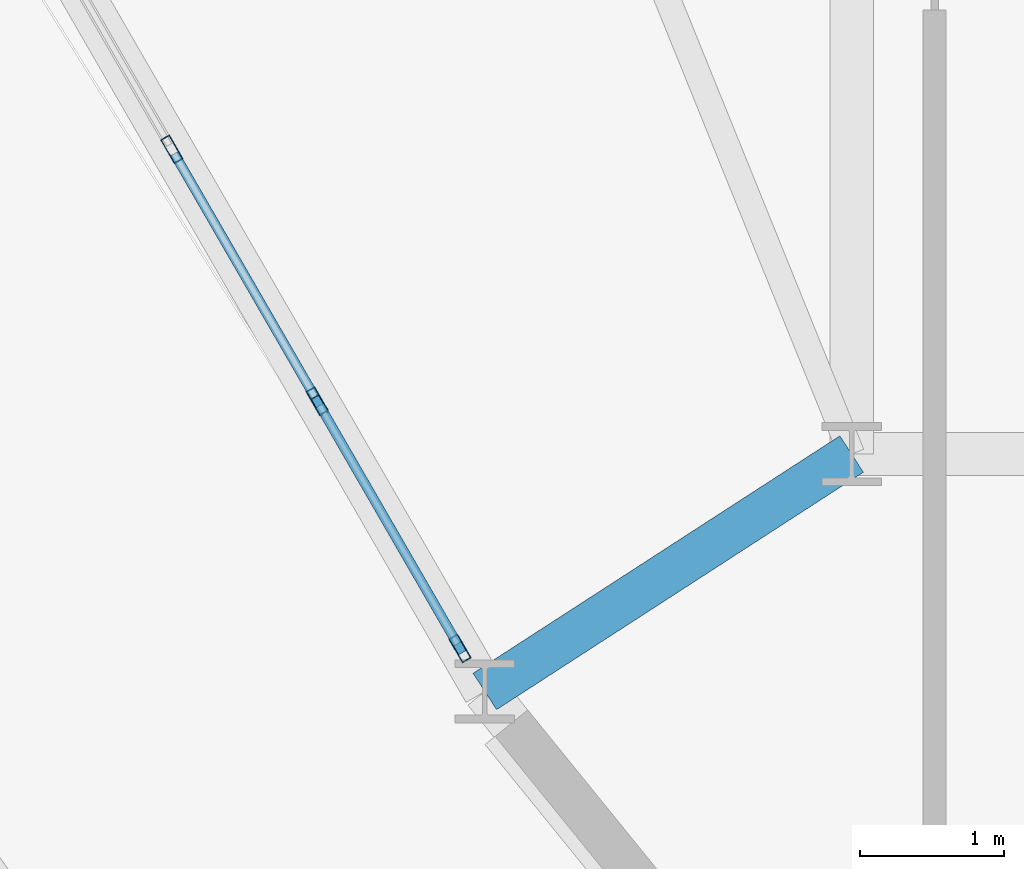
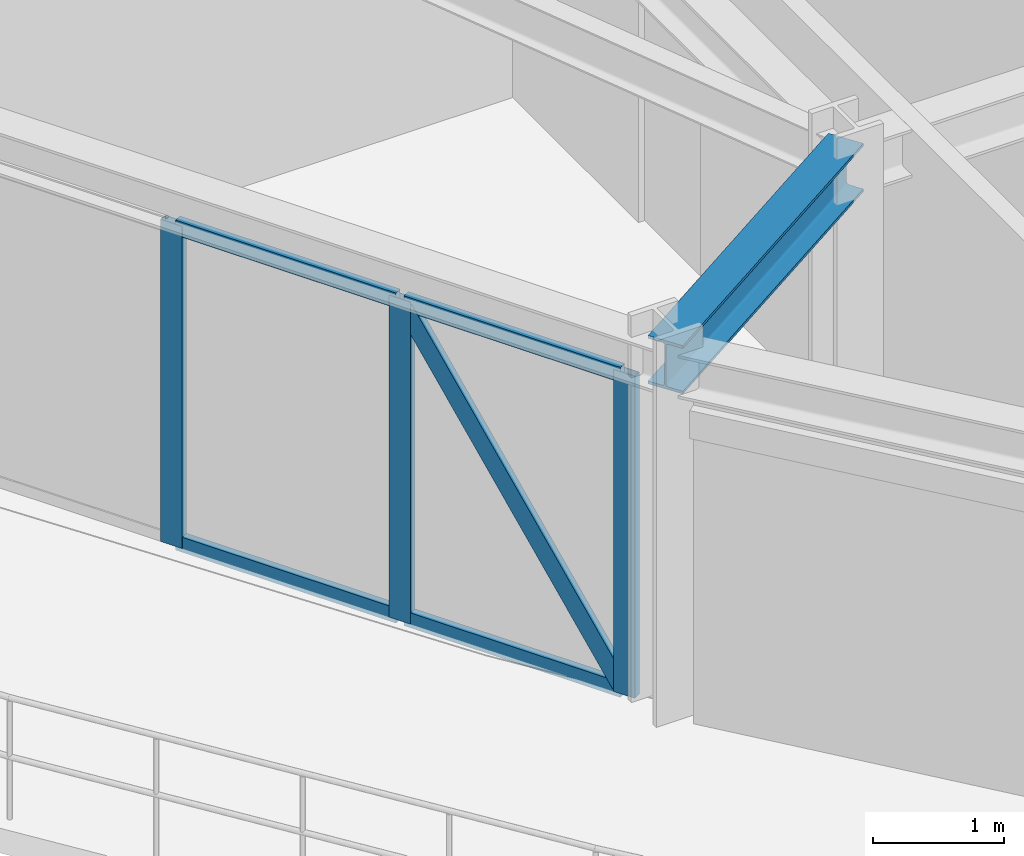
# One storey, part 2 of 18: 8 members, 1 beam, 1 element without a shape of its own.
"""IFC4 building model written with IfcOpenShell, lengths in metres."""

from ifc_helpers import new_model, si_unit, derived_unit, direction, frame, origin, origin_2d, place, context, subcontext, project, spatial, hollow_rectangle, i_section, extrude, source, transform, mapped, material, layer, layer_set, material_profile, profile_set, type_object, element, aggregate, save


model = new_model("IFC4")

# Units and contexts
model_context = context("Model", 3, precision=1e-05, world=origin(), true_north=direction((0.0, 1.0)))
body_context = subcontext(model_context, "Body", "Model", "MODEL_VIEW")
ifc_project = project(units=[si_unit("LENGTHUNIT", "METRE"), si_unit("AREAUNIT", "SQUARE_METRE"), si_unit("VOLUMEUNIT", "CUBIC_METRE"), si_unit("PLANEANGLEUNIT", "RADIAN"), si_unit("MASSUNIT", "GRAM", prefix="KILO"), derived_unit("THERMALTRANSMITTANCEUNIT", [(si_unit("POWERUNIT", "WATT"), 1), (si_unit("LENGTHUNIT", "METRE"), -2), (si_unit("THERMODYNAMICTEMPERATUREUNIT", "KELVIN"), -1)])], contexts=[model_context])

# Site, building, storey
site_placement = place(None, origin())
site = spatial("IfcSite", under=ifc_project, at=site_placement, CompositionType="ELEMENT")
building_placement = place(site_placement, origin())
building = spatial("IfcBuilding", under=site, at=building_placement, Name="Korsvarv Bourse and Concert Hall", CompositionType="ELEMENT")
storey_placement = place(building_placement, frame((0.0, 0.0, 168.60009765625)))
storey = spatial("IfcBuildingStorey", under=building, at=storey_placement, Name="L43", CompositionType="ELEMENT", Elevation=168.60009765625)

# Beam
ifc_material_1 = material(Name="Steel S355", Category="steel")
ifc_material_profile_1 = material_profile(ifc_material_1, i_section(OverallWidth=0.300048828125, OverallDepth=0.449951171875, WebThickness=0.013916015625, FlangeThickness=0.02587890625, FilletRadius=0.02099609375, at=origin_2d()), Name="HEB 450")
ifc_profile_set_1 = profile_set([ifc_material_profile_1], Name="Steel S355")
beam_type = type_object("IfcBeamType", Name="BM-HEB450", PredefinedType="SPANDREL", material=ifc_profile_set_1)
shared_shape_1 = source(origin(), body_context, "Body", "SweptSolid", [
    extrude(i_section(OverallWidth=0.300048828125, OverallDepth=0.449951171875, WebThickness=0.013916015625, FlangeThickness=0.02587890625, FilletRadius=0.02099609375, at=origin_2d()), origin(), (0.0, 0.0, 1.0), 3.025390625),
])
beam_placement = place(storey_placement, frame((25.060302734375, 22.356201171875, 3.1748046875), z_axis=(0.839509529418, 0.543344964104, 0.0), x_axis=(-0.543344964104, 0.839509529418, 0.0)))
element("IfcBeam", 1, at=beam_placement, inside=storey, type_object=beam_type, Name="L43 beam B-08", PredefinedType="SPANDREL", context=body_context, shape_type="MappedRepresentation", body=[
    mapped(shared_shape_1, transform((0.0, 0.0, 0.0), scale=1.0)),
])

# Curtain wall, members
ifc_material_2 = material(Name="Anodised aluminium and triple low-E glazing", Category="glass")
ifc_layer = layer(ifc_material_2, 0.2099609375)
ifc_layer_set = layer_set([ifc_layer], Name="Anodised aluminium and triple low-E glazing")
curtain_wall_type = type_object("IfcCurtainWallType", Name="CW-SYS-2", PredefinedType="NOTDEFINED", material=ifc_layer_set)
curtain_wall_placement = place(storey_placement, origin())
curtain_wall = element("IfcCurtainWall", 2, at=curtain_wall_placement, inside=storey, type_object=curtain_wall_type, Name="L43 CW2 curtain wall CW-L43-F07", PredefinedType="NOTDEFINED")
ifc_material_3 = material(Name="Extruded aluminium EN AW-6063 T66", Category="aluminium")
ifc_material_profile_2 = material_profile(ifc_material_3, hollow_rectangle(XDim=0.070068359375, YDim=0.18994140625, WallThickness=0.0048828125, at=origin_2d()), Name="ALU-M 70x190")
ifc_profile_set_2 = profile_set([ifc_material_profile_2], Name="Extruded aluminium EN AW-6063 T66")
member_type_1 = type_object("IfcMemberType", Name="CWM-190", PredefinedType="MULLION", material=ifc_profile_set_2)
shared_shape_2 = source(origin(), body_context, "Body", "SweptSolid", [
    extrude(hollow_rectangle(XDim=0.070068359375, YDim=0.18994140625, WallThickness=0.0048828125, at=origin_2d()), origin(), (0.0, 0.0, 1.0), 3.0),
])
member_1_placement = place(storey_placement, frame((22.8935546875, 26.109375, 0.0), z_axis=(0.0, 0.0, 1.0), x_axis=(0.866022564355, 0.500004918003, 0.0)))
member_1 = element("IfcMember", 3, at=member_1_placement, type_object=member_type_1, Name="CW2 mullion 5", PredefinedType="MULLION", context=body_context, shape_type="MappedRepresentation", body=[
    mapped(shared_shape_2, transform((0.0, 0.0, 0.0), scale=1.0)),
])
member_2_placement = place(storey_placement, frame((23.89990234375, 24.366455078125, 0.0), z_axis=(0.0, 0.0, 1.0), x_axis=(0.866022564355, 0.500004918003, 0.0)))
member_2 = element("IfcMember", 4, at=member_2_placement, type_object=member_type_1, Name="CW2 mullion 6", PredefinedType="MULLION", context=body_context, shape_type="MappedRepresentation", body=[
    mapped(shared_shape_2, transform((0.0, 0.0, 0.0), scale=1.0)),
])
member_3_placement = place(storey_placement, frame((24.888427734375, 22.654052734375, 0.0), z_axis=(0.0, 0.0, 1.0), x_axis=(0.866022564355, 0.500004918003, 0.0)))
member_3 = element("IfcMember", 5, at=member_3_placement, type_object=member_type_1, Name="CW2 mullion 7", PredefinedType="MULLION", context=body_context, shape_type="MappedRepresentation", body=[
    mapped(shared_shape_2, transform((0.0, 0.0, 0.0), scale=1.0)),
])
ifc_material_profile_3 = material_profile(ifc_material_3, hollow_rectangle(XDim=0.06494140625, YDim=0.139892578125, WallThickness=0.00390625, at=origin_2d()), Name="ALU-T 65x140")
ifc_profile_set_3 = profile_set([ifc_material_profile_3], Name="Extruded aluminium EN AW-6063 T66")
member_type_2 = type_object("IfcMemberType", Name="CWT-140", PredefinedType="USERDEFINED", material=ifc_profile_set_3)
shared_shape_3 = source(origin(), body_context, "Body", "SweptSolid", [
    extrude(hollow_rectangle(XDim=0.06494140625, YDim=0.139892578125, WallThickness=0.00390625, at=origin_2d()), origin(), (0.0, 0.0, 1.0), 1.907470703125),
])
member_4_placement = place(storey_placement, frame((23.917236328125, 24.336181640625, 0.032470703125), z_axis=(0.500062210058, -0.865989483811, 0.0), x_axis=(0.865989483811, 0.500062210058, 0.0)))
member_4 = element("IfcMember", 6, at=member_4_placement, type_object=member_type_2, Name="CW2 transom 6.1", ObjectType="TRANSOM", PredefinedType="USERDEFINED", context=body_context, shape_type="MappedRepresentation", body=[
    mapped(shared_shape_3, transform((0.0, 0.0, 0.0), scale=1.0)),
])
member_5_placement = place(storey_placement, frame((23.917236328125, 24.336181640625, 2.96728515625), z_axis=(0.500062210058, -0.865989483811, 0.0), x_axis=(0.865989483811, 0.500062210058, 0.0)))
member_5 = element("IfcMember", 7, at=member_5_placement, type_object=member_type_2, Name="CW2 transom 6.2", ObjectType="TRANSOM", PredefinedType="USERDEFINED", context=body_context, shape_type="MappedRepresentation", body=[
    mapped(shared_shape_3, transform((0.0, 0.0, 0.0), scale=1.0)),
])
shared_shape_4 = source(origin(), body_context, "Body", "SweptSolid", [
    extrude(hollow_rectangle(XDim=0.06494140625, YDim=0.139892578125, WallThickness=0.00390625, at=origin_2d()), origin(), (0.0, 0.0, 1.0), 1.9423828125),
])
member_6_placement = place(storey_placement, frame((22.9111328125, 26.0791015625, 0.032470703125), z_axis=(0.500005339912, -0.866022320763, 0.0), x_axis=(0.866022320763, 0.500005339912, 0.0)))
member_6 = element("IfcMember", 8, at=member_6_placement, type_object=member_type_2, Name="CW2 transom 5.1", ObjectType="TRANSOM", PredefinedType="USERDEFINED", context=body_context, shape_type="MappedRepresentation", body=[
    mapped(shared_shape_4, transform((0.0, 0.0, 0.0), scale=1.0)),
])
member_7_placement = place(storey_placement, frame((22.9111328125, 26.0791015625, 2.96728515625), z_axis=(0.500005339912, -0.866022320763, 0.0), x_axis=(0.866022320763, 0.500005339912, 0.0)))
member_7 = element("IfcMember", 9, at=member_7_placement, type_object=member_type_2, Name="CW2 transom 5.2", ObjectType="TRANSOM", PredefinedType="USERDEFINED", context=body_context, shape_type="MappedRepresentation", body=[
    mapped(shared_shape_4, transform((0.0, 0.0, 0.0), scale=1.0)),
])
ifc_material_profile_4 = material_profile(ifc_material_3, hollow_rectangle(XDim=0.06494140625, YDim=0.1650390625, WallThickness=0.0048828125, at=origin_2d()), Name="ALU-M 65x165")
ifc_profile_set_4 = profile_set([ifc_material_profile_4], Name="Extruded aluminium EN AW-6063 T66")
member_type_3 = type_object("IfcMemberType", Name="CWM-165", PredefinedType="MULLION", material=ifc_profile_set_4)
shared_shape_5 = source(origin(), body_context, "Body", "SweptSolid", [
    extrude(hollow_rectangle(XDim=0.06494140625, YDim=0.1650390625, WallThickness=0.0048828125, at=origin_2d()), origin(), (0.0, 0.0, 1.0), 3.446044921875),
])
member_8_placement = place(storey_placement, frame((24.87109375, 22.684326171875, 0.06494140625), z_axis=(-0.27680453733, 0.479359994772, 0.832822456185), x_axis=(-0.865989483811, -0.500062210058, 0.0)))
member_8 = element("IfcMember", 10, at=member_8_placement, type_object=member_type_3, Name="CW2 diagonal mullion 6", PredefinedType="MULLION", context=body_context, shape_type="MappedRepresentation", body=[
    mapped(shared_shape_5, transform((0.0, 0.0, 0.0), scale=1.0)),
])
aggregate(curtain_wall, [member_1, member_2, member_3, member_6, member_7, member_4, member_5, member_8])

save(model, "model.ifc")
